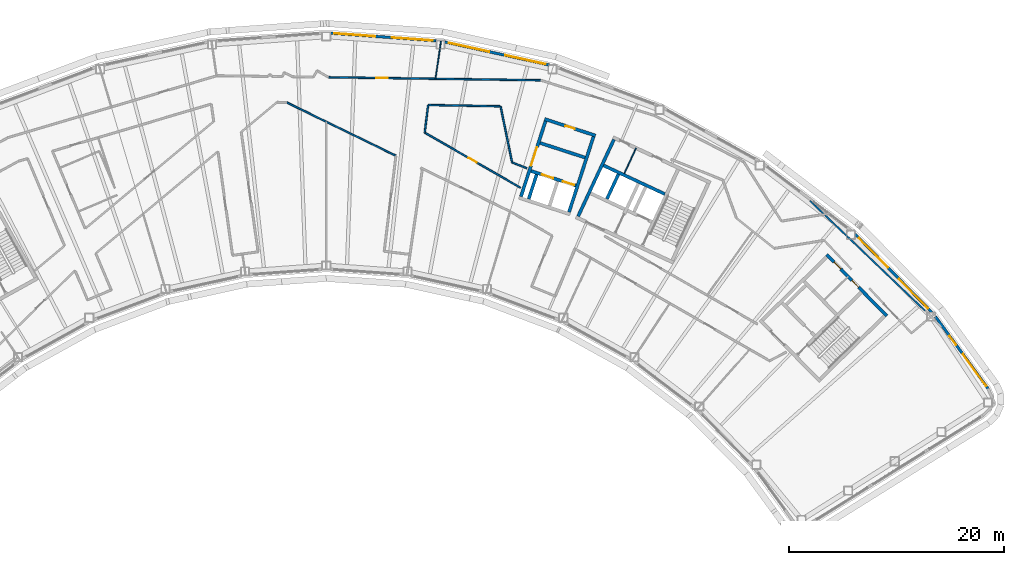
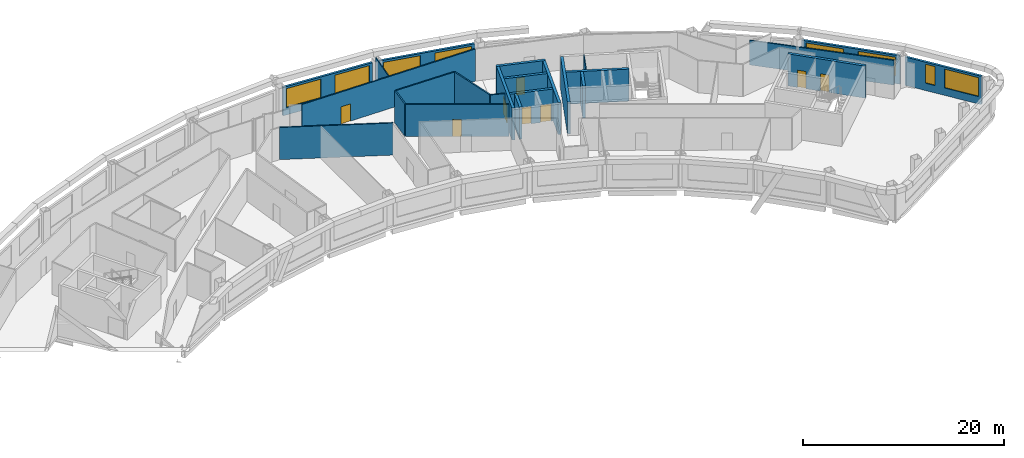
# One storey, part 10 of 14: 24 walls, 8 doors, 8 windows, 16 openings.
"""IFC4 building model written with IfcOpenShell, lengths in metres."""

from ifc_helpers import new_model, si_unit, direction, frame, frame_2d, origin, place, context, subcontext, project, spatial, rectangle, extrude, material, layer, layer_set, type_object, element, fill, save


model = new_model("IFC4")

# Units and contexts
model_context = context("Model", 3, precision=1e-05, world=origin(), true_north=direction((0.0, 1.0)))
body_context = subcontext(model_context, "Body", "Model", "MODEL_VIEW")
ifc_project = project(units=[si_unit("LENGTHUNIT", "METRE"), si_unit("AREAUNIT", "SQUARE_METRE"), si_unit("VOLUMEUNIT", "CUBIC_METRE"), si_unit("PLANEANGLEUNIT", "RADIAN"), si_unit("MASSUNIT", "GRAM", prefix="KILO")], contexts=[model_context])

# Site, building, storey
site_placement = place(None, origin())
site = spatial("IfcSite", under=ifc_project, at=site_placement, CompositionType="ELEMENT")
building_placement = place(site_placement, origin())
building = spatial("IfcBuilding", under=site, at=building_placement, Name="Tuul Gate Civic Tower", CompositionType="ELEMENT")
storey_placement = place(building_placement, frame((0.0, 0.0, 323.89990234375)))
storey = spatial("IfcBuildingStorey", under=building, at=storey_placement, Name="Level 73", CompositionType="ELEMENT", Elevation=323.89990234375)

# Wall, openings, doors
ifc_material_1 = material(Name="Concrete C50/60", Category="concrete")
ifc_layer_1 = layer(ifc_material_1, 0.300048828125)
ifc_layer_set_1 = layer_set([ifc_layer_1], Name="Concrete C50/60")
wall_type_1 = type_object("IfcWallType", Name="Core wall C50/60", PredefinedType="SHEAR", material=ifc_layer_set_1)
wall_1_placement = place(storey_placement, frame((54.43798828125, -12.23779296875, 0.0), z_axis=(0.0, 0.0, 1.0), x_axis=(-0.700021979774, 0.714121297703, 0.0)))
wall_1 = element("IfcWall", 1, at=wall_1_placement, inside=storey, type_object=wall_type_1, Name="Core wall", PredefinedType="SHEAR", context=body_context, shape_type="SweptSolid", body=[
    extrude(rectangle(XDim=8.0, YDim=0.300048828125, at=frame_2d((4.0, 0.0))), origin(), (0.0, 0.0, 1.0), 3.900146484375),
])
opening_1_placement = place(wall_1_placement, frame((3.75, 0.0, 0.0)))
opening_1 = element("IfcOpeningElement", 2, at=opening_1_placement, cuts=wall_1, Name="Opening AA-D30", PredefinedType="OPENING", context=body_context, shape_type="SweptSolid", body=[
    extrude(rectangle(XDim=0.89990234375, YDim=2.10009765625, at=frame_2d((0.449951171875, 1.050048828125))), frame((0.0, 0.16015625, 0.0), z_axis=(0.0, -1.0, 0.0), x_axis=(1.0, 0.0, 0.0)), (0.0, 0.0, 1.0), 0.320068359375),
])
opening_2_placement = place(wall_1_placement, frame((6.125, 0.0, 0.0)))
opening_2 = element("IfcOpeningElement", 3, at=opening_2_placement, cuts=wall_1, Name="Opening AA-D31", PredefinedType="OPENING", context=body_context, shape_type="SweptSolid", body=[
    extrude(rectangle(XDim=0.89990234375, YDim=2.10009765625, at=frame_2d((0.449951171875, 1.050048828125))), frame((0.0, 0.16015625, 0.0), z_axis=(0.0, -1.0, 0.0), x_axis=(1.0, 0.0, 0.0)), (0.0, 0.0, 1.0), 0.320068359375),
])
ifc_material_2 = material(Name="Timber door leaf", Category="wood")
door_type_1 = type_object("IfcDoorType", Name="Door D09", OperationType="NOTDEFINED", PredefinedType="DOOR", material=ifc_material_2)
door_1_placement = place(opening_1_placement, origin())
door_1 = element("IfcDoor", 4, at=door_1_placement, inside=storey, type_object=door_type_1, Name="Door AA-D30", OperationType="SINGLE_SWING_LEFT", OverallHeight=2.10009765625, OverallWidth=0.89990234375, PredefinedType="DOOR", context=body_context, shape_type="SweptSolid", body=[
    extrude(rectangle(XDim=0.89990234375, YDim=2.10009765625, at=frame_2d((0.449951171875, 1.050048828125))), frame((0.0, 0.02490234375, 0.0), z_axis=(0.0, -1.0, 0.0), x_axis=(1.0, 0.0, 0.0)), (0.0, 0.0, 1.0), 0.050048828125),
])
fill(opening_1, door_1)
door_2_placement = place(opening_2_placement, origin())
door_2 = element("IfcDoor", 5, at=door_2_placement, inside=storey, type_object=door_type_1, Name="Door AA-D31", OperationType="SINGLE_SWING_LEFT", OverallHeight=2.10009765625, OverallWidth=0.89990234375, PredefinedType="DOOR", context=body_context, shape_type="SweptSolid", body=[
    extrude(rectangle(XDim=0.89990234375, YDim=2.10009765625, at=frame_2d((0.449951171875, 1.050048828125))), frame((0.0, 0.02490234375, 0.0), z_axis=(0.0, -1.0, 0.0), x_axis=(1.0, 0.0, 0.0)), (0.0, 0.0, 1.0), 0.050048828125),
])
fill(opening_2, door_2)

# Walls
wall_2_placement = place(storey_placement, frame((33.75, -0.873779296875, 0.0), z_axis=(0.0, 0.0, 1.0), x_axis=(-0.906300917592, 0.422632992999, 0.0)))
element("IfcWall", 6, at=wall_2_placement, inside=storey, type_object=wall_type_1, Name="Core wall", PredefinedType="SHEAR", context=body_context, shape_type="SweptSolid", body=[
    extrude(rectangle(XDim=6.300048828125, YDim=0.300048828125, at=frame_2d((3.14990234375, 0.0))), origin(), (0.0, 0.0, 1.0), 3.900146484375),
])
wall_3_placement = place(storey_placement, frame((28.349365234375, -1.33447265625, 0.0), z_axis=(0.0, 0.0, 1.0), x_axis=(0.422612891016, 0.906310291427, 0.0)))
element("IfcWall", 7, at=wall_3_placement, inside=storey, type_object=wall_type_1, Name="Core wall", PredefinedType="SHEAR", context=body_context, shape_type="SweptSolid", body=[
    extrude(rectangle(XDim=2.550048828125, YDim=0.300048828125, at=frame_2d((1.27490234375, 0.0))), origin(), (0.0, 0.0, 1.0), 3.900146484375),
])
wall_4_placement = place(storey_placement, frame((25.66455078125, -2.951416015625, 0.0), z_axis=(0.0, 0.0, 1.0), x_axis=(0.422582604137, 0.906324413596, 0.0)))
element("IfcWall", 8, at=wall_4_placement, inside=storey, type_object=wall_type_1, Name="Core wall", PredefinedType="SHEAR", context=body_context, shape_type="SweptSolid", body=[
    extrude(rectangle(XDim=7.89990234375, YDim=0.300048828125, at=frame_2d((3.949951171875, 0.0))), origin(), (0.0, 0.0, 1.0), 3.900146484375),
])

# Wall, opening, door
ifc_material_3 = material(Name="Gypsum board partition")
ifc_layer_2 = layer(ifc_material_3, 0.14990234375)
ifc_layer_set_2 = layer_set([ifc_layer_2], Name="Gypsum board partition")
wall_type_2 = type_object("IfcWallType", Name="Corridor wall P150", PredefinedType="PARTITIONING", material=ifc_layer_set_2)
wall_5_placement = place(storey_placement, frame((2.418212890625, 10.010986328125, 0.0), z_axis=(0.0, 0.0, 1.0), x_axis=(0.999900426099, -0.014111622406, 0.0)))
wall_5 = element("IfcWall", 9, at=wall_5_placement, inside=storey, type_object=wall_type_2, Name="p017", PredefinedType="PARTITIONING", context=body_context, shape_type="SweptSolid", body=[
    extrude(rectangle(XDim=19.774658203125, YDim=0.14990234375, at=frame_2d((9.88720703125, 0.0))), origin(), (0.0, 0.0, 1.0), 3.900146484375),
])
opening_3_placement = place(wall_5_placement, frame((4.43017578125, 0.0, 0.0)))
opening_3 = element("IfcOpeningElement", 10, at=opening_3_placement, cuts=wall_5, Name="Opening AA-D02", PredefinedType="OPENING", context=body_context, shape_type="SweptSolid", body=[
    extrude(rectangle(XDim=1.10009765625, YDim=2.10009765625, at=frame_2d((0.550048828125, 1.050048828125))), frame((0.0, 0.0849609375, 0.0), z_axis=(0.0, -1.0, 0.0), x_axis=(1.0, 0.0, 0.0)), (0.0, 0.0, 1.0), 0.169921875),
])
ifc_material_4 = material(Name="Timber door leaf", Category="wood")
door_type_2 = type_object("IfcDoorType", Name="Door D11", OperationType="NOTDEFINED", PredefinedType="DOOR", material=ifc_material_4)
door_3_placement = place(opening_3_placement, origin())
door_3 = element("IfcDoor", 11, at=door_3_placement, inside=storey, type_object=door_type_2, Name="Door AA-D02", OperationType="SINGLE_SWING_RIGHT", OverallHeight=2.10009765625, OverallWidth=1.10009765625, PredefinedType="DOOR", context=body_context, shape_type="SweptSolid", body=[
    extrude(rectangle(XDim=1.10009765625, YDim=2.10009765625, at=frame_2d((0.550048828125, 1.050048828125))), frame((0.0, 0.02490234375, 0.0), z_axis=(0.0, -1.0, 0.0), x_axis=(1.0, 0.0, 0.0)), (0.0, 0.0, 1.0), 0.050048828125),
])
fill(opening_3, door_3)

wall_6_placement = place(storey_placement, frame((11.384521484375, 4.8466796875, 0.0), z_axis=(0.0, 0.0, 1.0), x_axis=(0.866676897493, -0.498869878177, 0.0)))
wall_6 = element("IfcWall", 12, at=wall_6_placement, inside=storey, type_object=wall_type_2, Name="p022", PredefinedType="PARTITIONING", context=body_context, shape_type="SweptSolid", body=[
    extrude(rectangle(XDim=10.282470703125, YDim=0.14990234375, at=frame_2d((5.14111328125, 0.0))), origin(), (0.0, 0.0, 1.0), 3.900146484375),
])
opening_4_placement = place(wall_6_placement, frame((4.69140625, 0.0, 0.0)))
opening_4 = element("IfcOpeningElement", 13, at=opening_4_placement, cuts=wall_6, Name="Opening AA-D22", PredefinedType="OPENING", context=body_context, shape_type="SweptSolid", body=[
    extrude(rectangle(XDim=0.89990234375, YDim=2.10009765625, at=frame_2d((0.449951171875, 1.050048828125))), frame((0.0, 0.0849609375, 0.0), z_axis=(0.0, -1.0, 0.0), x_axis=(1.0, 0.0, 0.0)), (0.0, 0.0, 1.0), 0.169921875),
])
door_4_placement = place(opening_4_placement, origin())
door_4 = element("IfcDoor", 14, at=door_4_placement, inside=storey, type_object=door_type_1, Name="Door AA-D22", OperationType="SINGLE_SWING_RIGHT", OverallHeight=2.10009765625, OverallWidth=0.89990234375, PredefinedType="DOOR", context=body_context, shape_type="SweptSolid", body=[
    extrude(rectangle(XDim=0.89990234375, YDim=2.10009765625, at=frame_2d((0.449951171875, 1.050048828125))), frame((0.0, 0.02490234375, 0.0), z_axis=(0.0, -1.0, 0.0), x_axis=(1.0, 0.0, 0.0)), (0.0, 0.0, 1.0), 0.050048828125),
])
fill(opening_4, door_4)

# Walls
wall_7_placement = place(storey_placement, frame((-1.48779296875, 7.66357421875, 0.0), z_axis=(0.0, 0.0, 1.0), x_axis=(0.898711179606, -0.438541007947, 0.0)))
element("IfcWall", 15, at=wall_7_placement, inside=storey, type_object=wall_type_2, Name="p069", PredefinedType="PARTITIONING", context=body_context, shape_type="SweptSolid", body=[
    extrude(rectangle(XDim=11.31005859375, YDim=0.14990234375, at=frame_2d((5.655029296875, 0.0))), origin(), (0.0, 0.0, 1.0), 3.900146484375),
])
wall_8_placement = place(storey_placement, frame((11.37451171875, 4.8671875, 0.0), z_axis=(0.0, 0.0, 1.0), x_axis=(0.121828693758, 0.992551141945, 0.0)))
element("IfcWall", 16, at=wall_8_placement, inside=storey, type_object=wall_type_2, Name="p075", PredefinedType="PARTITIONING", context=body_context, shape_type="SweptSolid", body=[
    extrude(rectangle(XDim=2.56103515625, YDim=0.14990234375, at=frame_2d((1.280517578125, 0.0))), origin(), (0.0, 0.0, 1.0), 3.900146484375),
])
wall_9_placement = place(storey_placement, frame((11.707275390625, 7.42724609375, 0.0), z_axis=(0.0, 0.0, 1.0), x_axis=(0.999836870623, -0.018061897525, 0.0)))
element("IfcWall", 17, at=wall_9_placement, inside=storey, type_object=wall_type_2, Name="p083", PredefinedType="PARTITIONING", context=body_context, shape_type="SweptSolid", body=[
    extrude(rectangle(XDim=6.7177734375, YDim=0.14990234375, at=frame_2d((3.35888671875, 0.0))), origin(), (0.0, 0.0, 1.0), 3.900146484375),
])
wall_10_placement = place(storey_placement, frame((18.44384765625, 7.28955078125, 0.0), z_axis=(0.0, 0.0, 1.0), x_axis=(0.201223030355, -0.979545451756, 0.0)))
element("IfcWall", 18, at=wall_10_placement, inside=storey, type_object=wall_type_2, Name="p103", PredefinedType="PARTITIONING", context=body_context, shape_type="SweptSolid", body=[
    extrude(rectangle(XDim=5.3203125, YDim=0.14990234375, at=frame_2d((2.66015625, 0.0))), origin(), (0.0, 0.0, 1.0), 3.900146484375),
])
wall_11_placement = place(storey_placement, frame((19.515380859375, 2.0771484375, 0.0), z_axis=(0.0, 0.0, 1.0), x_axis=(0.928613592245, -0.371048239853, 0.0)))
element("IfcWall", 19, at=wall_11_placement, inside=storey, type_object=wall_type_2, Name="p104", PredefinedType="PARTITIONING", context=body_context, shape_type="SweptSolid", body=[
    extrude(rectangle(XDim=1.47509765625, YDim=0.14990234375, at=frame_2d((0.737548828125, 0.0))), origin(), (0.0, 0.0, 1.0), 3.900146484375),
])
ifc_material_5 = material(Name="Gypsum board partition")
ifc_layer_3 = layer(ifc_material_5, 0.14990234375)
ifc_layer_set_3 = layer_set([ifc_layer_3], Name="Gypsum board partition")
wall_type_3 = type_object("IfcWallType", Name="Corridor wall P150 3000 HIGH", PredefinedType="PARTITIONING", material=ifc_layer_set_3)
wall_12_placement = place(storey_placement, frame((47.280517578125, -1.509521484375, 0.0), z_axis=(0.0, 0.0, 1.0), x_axis=(0.723161335939, -0.690679145626, 0.0)))
element("IfcWall", 20, at=wall_12_placement, inside=storey, type_object=wall_type_3, Name="p009", PredefinedType="PARTITIONING", context=body_context, shape_type="SweptSolid", body=[
    extrude(rectangle(XDim=14.814208984375, YDim=0.14990234375, at=frame_2d((7.4072265625, 0.0))), origin(), (0.0, 0.0, 1.0), 3.0),
])

# Wall, openings, windows
ifc_material_6 = material(Name="Precast concrete C40/50", Category="concrete")
ifc_layer_4 = layer(ifc_material_6, 0.25)
ifc_layer_set_4 = layer_set([ifc_layer_4], Name="Precast concrete C40/50")
wall_type_4 = type_object("IfcWallType", Name="External wall", PredefinedType="STANDARD", material=ifc_layer_set_4)
wall_13_placement = place(storey_placement, frame((63.881103515625, -19.017822265625, 0.0), z_axis=(0.0, 0.0, 1.0), x_axis=(-0.58975151757, 0.80758476182, 0.0)))
wall_13 = element("IfcWall", 21, at=wall_13_placement, inside=storey, type_object=wall_type_4, Name="External wall", PredefinedType="STANDARD", context=body_context, shape_type="SweptSolid", body=[
    extrude(rectangle(XDim=8.33740234375, YDim=0.25, at=frame_2d((4.168701171875, 0.0))), origin(), (0.0, 0.0, 1.0), 3.4501953125),
])
opening_5_placement = place(wall_13_placement, frame((0.30078125, 0.0, 0.89990234375)))
opening_5 = element("IfcOpeningElement", 22, at=opening_5_placement, cuts=wall_13, Name="Opening W21", PredefinedType="OPENING", context=body_context, shape_type="SweptSolid", body=[
    extrude(rectangle(XDim=3.699951171875, YDim=2.300048828125, at=frame_2d((1.85009765625, 1.14990234375))), frame((0.0, 0.135009765625, 0.0), z_axis=(0.0, -1.0, 0.0), x_axis=(1.0, 0.0, 0.0)), (0.0, 0.0, 1.0), 0.27001953125),
])
opening_6_placement = place(wall_13_placement, frame((5.05419921875, 0.0, 0.89990234375)))
opening_6 = element("IfcOpeningElement", 23, at=opening_6_placement, cuts=wall_13, Name="Opening W51", PredefinedType="OPENING", context=body_context, shape_type="SweptSolid", body=[
    extrude(rectangle(XDim=1.050048828125, YDim=2.300048828125, at=frame_2d((0.52490234375, 1.14990234375))), frame((0.0, 0.135009765625, 0.0), z_axis=(0.0, -1.0, 0.0), x_axis=(1.0, 0.0, 0.0)), (0.0, 0.0, 1.0), 0.27001953125),
])
ifc_material_7 = material(Name="Glass", Category="glass")
window_type_1 = type_object("IfcWindowType", Name="Window 1050 x 2300", PartitioningType="SINGLE_PANEL", PredefinedType="WINDOW", material=ifc_material_7)
window_1_placement = place(opening_6_placement, origin())
window_1 = element("IfcWindow", 24, at=window_1_placement, inside=storey, type_object=window_type_1, Name="Window", OverallHeight=2.300048828125, OverallWidth=1.050048828125, PartitioningType="SINGLE_PANEL", PredefinedType="WINDOW", context=body_context, shape_type="SweptSolid", body=[
    extrude(rectangle(XDim=1.050048828125, YDim=2.300048828125, at=frame_2d((0.52490234375, 1.14990234375))), frame((0.0, 0.030029296875, 0.0), z_axis=(0.0, -1.0, 0.0), x_axis=(1.0, 0.0, 0.0)), (0.0, 0.0, 1.0), 0.06005859375),
])
fill(opening_6, window_1)
ifc_material_8 = material(Name="Glass", Category="glass")
window_type_2 = type_object("IfcWindowType", Name="Window W21 3700 x 2300", PartitioningType="SINGLE_PANEL", PredefinedType="WINDOW", material=ifc_material_8)
window_2_placement = place(opening_5_placement, origin())
window_2 = element("IfcWindow", 25, at=window_2_placement, inside=storey, type_object=window_type_2, Name="Window", OverallHeight=2.300048828125, OverallWidth=3.699951171875, PartitioningType="SINGLE_PANEL", PredefinedType="WINDOW", context=body_context, shape_type="SweptSolid", body=[
    extrude(rectangle(XDim=3.699951171875, YDim=2.300048828125, at=frame_2d((1.85009765625, 1.14990234375))), frame((0.0, 0.030029296875, 0.0), z_axis=(0.0, -1.0, 0.0), x_axis=(1.0, 0.0, 0.0)), (0.0, 0.0, 1.0), 0.06005859375),
])
fill(opening_5, window_2)

wall_14_placement = place(storey_placement, frame((58.627197265625, -11.887939453125, 0.0), z_axis=(0.0, 0.0, 1.0), x_axis=(-0.700055609081, 0.714088330807, 0.0)))
wall_14 = element("IfcWall", 26, at=wall_14_placement, inside=storey, type_object=wall_type_4, Name="External wall", PredefinedType="STANDARD", context=body_context, shape_type="SweptSolid", body=[
    extrude(rectangle(XDim=10.1953125, YDim=0.25, at=frame_2d((5.09765625, 0.0))), origin(), (0.0, 0.0, 1.0), 3.4501953125),
])
opening_7_placement = place(wall_14_placement, frame((0.48681640625, 0.0, 0.89990234375)))
opening_7 = element("IfcOpeningElement", 27, at=opening_7_placement, cuts=wall_14, Name="Opening W22", PredefinedType="OPENING", context=body_context, shape_type="SweptSolid", body=[
    extrude(rectangle(XDim=3.85009765625, YDim=2.300048828125, at=frame_2d((1.925048828125, 1.14990234375))), frame((0.0, 0.135009765625, 0.0), z_axis=(0.0, -1.0, 0.0), x_axis=(1.0, 0.0, 0.0)), (0.0, 0.0, 1.0), 0.27001953125),
])
opening_8_placement = place(wall_14_placement, frame((5.85791015625, 0.0, 0.89990234375)))
opening_8 = element("IfcOpeningElement", 28, at=opening_8_placement, cuts=wall_14, Name="Opening W22", PredefinedType="OPENING", context=body_context, shape_type="SweptSolid", body=[
    extrude(rectangle(XDim=3.85009765625, YDim=2.300048828125, at=frame_2d((1.925048828125, 1.14990234375))), frame((0.0, 0.135009765625, 0.0), z_axis=(0.0, -1.0, 0.0), x_axis=(1.0, 0.0, 0.0)), (0.0, 0.0, 1.0), 0.27001953125),
])
ifc_material_9 = material(Name="Glass", Category="glass")
window_type_3 = type_object("IfcWindowType", Name="Window W22 3850 x 2300", PartitioningType="SINGLE_PANEL", PredefinedType="WINDOW", material=ifc_material_9)
window_3_placement = place(opening_7_placement, origin())
window_3 = element("IfcWindow", 29, at=window_3_placement, inside=storey, type_object=window_type_3, Name="Window", OverallHeight=2.300048828125, OverallWidth=3.85009765625, PartitioningType="SINGLE_PANEL", PredefinedType="WINDOW", context=body_context, shape_type="SweptSolid", body=[
    extrude(rectangle(XDim=3.85009765625, YDim=2.300048828125, at=frame_2d((1.925048828125, 1.14990234375))), frame((0.0, 0.030029296875, 0.0), z_axis=(0.0, -1.0, 0.0), x_axis=(1.0, 0.0, 0.0)), (0.0, 0.0, 1.0), 0.06005859375),
])
fill(opening_7, window_3)
window_4_placement = place(opening_8_placement, origin())
window_4 = element("IfcWindow", 30, at=window_4_placement, inside=storey, type_object=window_type_3, Name="Window", OverallHeight=2.300048828125, OverallWidth=3.85009765625, PartitioningType="SINGLE_PANEL", PredefinedType="WINDOW", context=body_context, shape_type="SweptSolid", body=[
    extrude(rectangle(XDim=3.85009765625, YDim=2.300048828125, at=frame_2d((1.925048828125, 1.14990234375))), frame((0.0, 0.030029296875, 0.0), z_axis=(0.0, -1.0, 0.0), x_axis=(1.0, 0.0, 0.0)), (0.0, 0.0, 1.0), 0.06005859375),
])
fill(opening_8, window_4)

wall_15_placement = place(storey_placement, frame((22.9658203125, 11.157958984375, 0.0), z_axis=(0.0, 0.0, 1.0), x_axis=(-0.976563421064, 0.215229841426, 0.0)))
wall_15 = element("IfcWall", 31, at=wall_15_placement, inside=storey, type_object=wall_type_4, Name="External wall", PredefinedType="STANDARD", context=body_context, shape_type="SweptSolid", body=[
    extrude(rectangle(XDim=9.958251953125, YDim=0.25, at=frame_2d((4.97900390625, 0.0))), origin(), (0.0, 0.0, 1.0), 3.4501953125),
])
opening_9_placement = place(wall_15_placement, frame((0.346923828125, 0.0, 0.89990234375)))
opening_9 = element("IfcOpeningElement", 32, at=opening_9_placement, cuts=wall_15, Name="Opening W22", PredefinedType="OPENING", context=body_context, shape_type="SweptSolid", body=[
    extrude(rectangle(XDim=3.85009765625, YDim=2.300048828125, at=frame_2d((1.925048828125, 1.14990234375))), frame((0.0, 0.135009765625, 0.0), z_axis=(0.0, -1.0, 0.0), x_axis=(1.0, 0.0, 0.0)), (0.0, 0.0, 1.0), 0.27001953125),
])
opening_10_placement = place(wall_15_placement, frame((5.71826171875, 0.0, 0.89990234375)))
opening_10 = element("IfcOpeningElement", 33, at=opening_10_placement, cuts=wall_15, Name="Opening W22", PredefinedType="OPENING", context=body_context, shape_type="SweptSolid", body=[
    extrude(rectangle(XDim=3.85009765625, YDim=2.300048828125, at=frame_2d((1.925048828125, 1.14990234375))), frame((0.0, 0.135009765625, 0.0), z_axis=(0.0, -1.0, 0.0), x_axis=(1.0, 0.0, 0.0)), (0.0, 0.0, 1.0), 0.27001953125),
])
window_5_placement = place(opening_9_placement, origin())
window_5 = element("IfcWindow", 34, at=window_5_placement, inside=storey, type_object=window_type_3, Name="Window", OverallHeight=2.300048828125, OverallWidth=3.85009765625, PartitioningType="SINGLE_PANEL", PredefinedType="WINDOW", context=body_context, shape_type="SweptSolid", body=[
    extrude(rectangle(XDim=3.85009765625, YDim=2.300048828125, at=frame_2d((1.925048828125, 1.14990234375))), frame((0.0, 0.030029296875, 0.0), z_axis=(0.0, -1.0, 0.0), x_axis=(1.0, 0.0, 0.0)), (0.0, 0.0, 1.0), 0.06005859375),
])
fill(opening_9, window_5)
window_6_placement = place(opening_10_placement, origin())
window_6 = element("IfcWindow", 35, at=window_6_placement, inside=storey, type_object=window_type_3, Name="Window", OverallHeight=2.300048828125, OverallWidth=3.85009765625, PartitioningType="SINGLE_PANEL", PredefinedType="WINDOW", context=body_context, shape_type="SweptSolid", body=[
    extrude(rectangle(XDim=3.85009765625, YDim=2.300048828125, at=frame_2d((1.925048828125, 1.14990234375))), frame((0.0, 0.030029296875, 0.0), z_axis=(0.0, -1.0, 0.0), x_axis=(1.0, 0.0, 0.0)), (0.0, 0.0, 1.0), 0.06005859375),
])
fill(opening_10, window_6)

wall_16_placement = place(storey_placement, frame((12.44091796875, 13.411376953125, 0.0), z_axis=(0.0, 0.0, 1.0), x_axis=(-0.997387042659, 0.072243249762, 0.0)))
wall_16 = element("IfcWall", 36, at=wall_16_placement, inside=storey, type_object=wall_type_4, Name="External wall", PredefinedType="STANDARD", context=body_context, shape_type="SweptSolid", body=[
    extrude(rectangle(XDim=9.874755859375, YDim=0.25, at=frame_2d((4.9375, 0.0))), origin(), (0.0, 0.0, 1.0), 3.4501953125),
])
opening_11_placement = place(wall_16_placement, frame((0.303466796875, 0.0, 0.89990234375)))
opening_11 = element("IfcOpeningElement", 37, at=opening_11_placement, cuts=wall_16, Name="Opening W22", PredefinedType="OPENING", context=body_context, shape_type="SweptSolid", body=[
    extrude(rectangle(XDim=3.85009765625, YDim=2.300048828125, at=frame_2d((1.925048828125, 1.14990234375))), frame((0.0, 0.135009765625, 0.0), z_axis=(0.0, -1.0, 0.0), x_axis=(1.0, 0.0, 0.0)), (0.0, 0.0, 1.0), 0.27001953125),
])
opening_12_placement = place(wall_16_placement, frame((5.67431640625, 0.0, 0.89990234375)))
opening_12 = element("IfcOpeningElement", 38, at=opening_12_placement, cuts=wall_16, Name="Opening W22", PredefinedType="OPENING", context=body_context, shape_type="SweptSolid", body=[
    extrude(rectangle(XDim=3.85009765625, YDim=2.300048828125, at=frame_2d((1.925048828125, 1.14990234375))), frame((0.0, 0.135009765625, 0.0), z_axis=(0.0, -1.0, 0.0), x_axis=(1.0, 0.0, 0.0)), (0.0, 0.0, 1.0), 0.27001953125),
])
window_7_placement = place(opening_11_placement, origin())
window_7 = element("IfcWindow", 39, at=window_7_placement, inside=storey, type_object=window_type_3, Name="Window", OverallHeight=2.300048828125, OverallWidth=3.85009765625, PartitioningType="SINGLE_PANEL", PredefinedType="WINDOW", context=body_context, shape_type="SweptSolid", body=[
    extrude(rectangle(XDim=3.85009765625, YDim=2.300048828125, at=frame_2d((1.925048828125, 1.14990234375))), frame((0.0, 0.030029296875, 0.0), z_axis=(0.0, -1.0, 0.0), x_axis=(1.0, 0.0, 0.0)), (0.0, 0.0, 1.0), 0.06005859375),
])
fill(opening_11, window_7)
window_8_placement = place(opening_12_placement, origin())
window_8 = element("IfcWindow", 40, at=window_8_placement, inside=storey, type_object=window_type_3, Name="Window", OverallHeight=2.300048828125, OverallWidth=3.85009765625, PartitioningType="SINGLE_PANEL", PredefinedType="WINDOW", context=body_context, shape_type="SweptSolid", body=[
    extrude(rectangle(XDim=3.85009765625, YDim=2.300048828125, at=frame_2d((1.925048828125, 1.14990234375))), frame((0.0, 0.030029296875, 0.0), z_axis=(0.0, -1.0, 0.0), x_axis=(1.0, 0.0, 0.0)), (0.0, 0.0, 1.0), 0.06005859375),
])
fill(opening_12, window_8)

# Wall, openings, doors
ifc_material_10 = material(Name="Concrete C40/50", Category="concrete")
ifc_layer_5 = layer(ifc_material_10, 0.300048828125)
ifc_layer_set_5 = layer_set([ifc_layer_5], Name="Concrete C40/50")
wall_type_5 = type_object("IfcWallType", Name="Lift shaft wall C40/50", PredefinedType="STANDARD", material=ifc_layer_set_5)
wall_17_placement = place(storey_placement, frame((25.460693359375, -0.0859375, 0.0), z_axis=(0.0, 0.0, 1.0), x_axis=(-0.951063829732, 0.308994485023, 0.0)))
wall_17 = element("IfcWall", 41, at=wall_17_placement, inside=storey, type_object=wall_type_5, Name="Shaft wall", PredefinedType="STANDARD", context=body_context, shape_type="SweptSolid", body=[
    extrude(rectangle(XDim=4.400146484375, YDim=0.300048828125, at=frame_2d((2.2001953125, 0.0))), origin(), (0.0, 0.0, 1.0), 3.900146484375),
])
opening_13_placement = place(wall_17_placement, frame((0.175048828125, 0.0, 0.0)))
opening_13 = element("IfcOpeningElement", 42, at=opening_13_placement, cuts=wall_17, Name="Opening LD-H2", PredefinedType="OPENING", context=body_context, shape_type="SweptSolid", body=[
    extrude(rectangle(XDim=1.10009765625, YDim=2.10009765625, at=frame_2d((0.550048828125, 1.050048828125))), frame((0.0, 0.16015625, 0.0), z_axis=(0.0, -1.0, 0.0), x_axis=(1.0, 0.0, 0.0)), (0.0, 0.0, 1.0), 0.320068359375),
])
opening_14_placement = place(wall_17_placement, frame((2.22509765625, 0.0, 0.0)))
opening_14 = element("IfcOpeningElement", 43, at=opening_14_placement, cuts=wall_17, Name="Opening LD-H3", PredefinedType="OPENING", context=body_context, shape_type="SweptSolid", body=[
    extrude(rectangle(XDim=1.10009765625, YDim=2.10009765625, at=frame_2d((0.550048828125, 1.050048828125))), frame((0.0, 0.16015625, 0.0), z_axis=(0.0, -1.0, 0.0), x_axis=(1.0, 0.0, 0.0)), (0.0, 0.0, 1.0), 0.320068359375),
])
ifc_material_11 = material(Name="Stainless steel", Category="steel")
door_type_3 = type_object("IfcDoorType", Name="Landing door", OperationType="DOUBLE_DOOR_SLIDING", PredefinedType="DOOR", material=ifc_material_11)
door_5_placement = place(opening_13_placement, origin())
door_5 = element("IfcDoor", 44, at=door_5_placement, inside=storey, type_object=door_type_3, Name="High-rise lift H2 landing door", OperationType="DOUBLE_DOOR_SLIDING", OverallHeight=2.10009765625, OverallWidth=1.10009765625, PredefinedType="DOOR", context=body_context, shape_type="SweptSolid", body=[
    extrude(rectangle(XDim=1.10009765625, YDim=2.10009765625, at=frame_2d((0.550048828125, 1.050048828125))), frame((0.0, 0.02490234375, 0.0), z_axis=(0.0, -1.0, 0.0), x_axis=(1.0, 0.0, 0.0)), (0.0, 0.0, 1.0), 0.050048828125),
])
fill(opening_13, door_5)
door_6_placement = place(opening_14_placement, origin())
door_6 = element("IfcDoor", 45, at=door_6_placement, inside=storey, type_object=door_type_3, Name="High-rise lift H3 landing door", OperationType="DOUBLE_DOOR_SLIDING", OverallHeight=2.10009765625, OverallWidth=1.10009765625, PredefinedType="DOOR", context=body_context, shape_type="SweptSolid", body=[
    extrude(rectangle(XDim=1.10009765625, YDim=2.10009765625, at=frame_2d((0.550048828125, 1.050048828125))), frame((0.0, 0.02490234375, 0.0), z_axis=(0.0, -1.0, 0.0), x_axis=(1.0, 0.0, 0.0)), (0.0, 0.0, 1.0), 0.050048828125),
])
fill(opening_14, door_6)

# Wall
wall_18_placement = place(storey_placement, frame((26.310546875, 2.529541015625, 0.0), z_axis=(0.0, 0.0, 1.0), x_axis=(-0.951058531764, 0.30901079133, 0.0)))
element("IfcWall", 46, at=wall_18_placement, inside=storey, type_object=wall_type_5, Name="Shaft wall", PredefinedType="STANDARD", context=body_context, shape_type="SweptSolid", body=[
    extrude(rectangle(XDim=4.39990234375, YDim=0.300048828125, at=frame_2d((2.199951171875, 0.0))), origin(), (0.0, 0.0, 1.0), 3.900146484375),
])

# Wall, opening, door
wall_19_placement = place(storey_placement, frame((27.29150390625, 4.57666015625, 0.0), z_axis=(0.0, 0.0, 1.0), x_axis=(-0.951067792613, 0.308982287281, 0.0)))
wall_19 = element("IfcWall", 47, at=wall_19_placement, inside=storey, type_object=wall_type_5, Name="Shaft wall", PredefinedType="STANDARD", context=body_context, shape_type="SweptSolid", body=[
    extrude(rectangle(XDim=5.0, YDim=0.300048828125, at=frame_2d((2.5, 0.0))), origin(), (0.0, 0.0, 1.0), 3.900146484375),
])
opening_15_placement = place(wall_19_placement, frame((2.050048828125, 0.0, 0.0)))
opening_15 = element("IfcOpeningElement", 48, at=opening_15_placement, cuts=wall_19, Name="Opening AA-D34", PredefinedType="OPENING", context=body_context, shape_type="SweptSolid", body=[
    extrude(rectangle(XDim=0.89990234375, YDim=2.10009765625, at=frame_2d((0.449951171875, 1.050048828125))), frame((0.0, 0.16015625, 0.0), z_axis=(0.0, -1.0, 0.0), x_axis=(1.0, 0.0, 0.0)), (0.0, 0.0, 1.0), 0.320068359375),
])
door_7_placement = place(opening_15_placement, origin())
door_7 = element("IfcDoor", 49, at=door_7_placement, inside=storey, type_object=door_type_1, Name="Door AA-D34", OperationType="SINGLE_SWING_LEFT", OverallHeight=2.10009765625, OverallWidth=0.89990234375, PredefinedType="DOOR", context=body_context, shape_type="SweptSolid", body=[
    extrude(rectangle(XDim=0.89990234375, YDim=2.10009765625, at=frame_2d((0.449951171875, 1.050048828125))), frame((0.0, 0.02490234375, 0.0), z_axis=(0.0, -1.0, 0.0), x_axis=(1.0, 0.0, 0.0)), (0.0, 0.0, 1.0), 0.050048828125),
])
fill(opening_15, door_7)

# Walls
wall_20_placement = place(storey_placement, frame((24.815185546875, -2.557373046875, 0.0), z_axis=(0.0, 0.0, 1.0), x_axis=(0.30907264409, 0.951038432807, 0.0)))
element("IfcWall", 50, at=wall_20_placement, inside=storey, type_object=wall_type_5, Name="Shaft wall", PredefinedType="STANDARD", context=body_context, shape_type="SweptSolid", body=[
    extrude(rectangle(XDim=7.39990234375, YDim=0.300048828125, at=frame_2d((3.699951171875, 0.0))), origin(), (0.0, 0.0, 1.0), 3.900146484375),
])
wall_21_placement = place(storey_placement, frame((21.058349609375, -1.336669921875, 0.0), z_axis=(0.0, 0.0, 1.0), x_axis=(0.309138975195, 0.951016873675, 0.0)))
element("IfcWall", 51, at=wall_21_placement, inside=storey, type_object=wall_type_5, Name="Shaft wall", PredefinedType="STANDARD", context=body_context, shape_type="SweptSolid", body=[
    extrude(rectangle(XDim=2.400146484375, YDim=0.300048828125, at=frame_2d((1.2001953125, 0.0))), origin(), (0.0, 0.0, 1.0), 3.900146484375),
])

# Wall, opening, door
wall_22_placement = place(storey_placement, frame((20.34521484375, -1.10498046875, 0.0), z_axis=(0.0, 0.0, 1.0), x_axis=(0.30907264409, 0.951038432807, 0.0)))
wall_22 = element("IfcWall", 52, at=wall_22_placement, inside=storey, type_object=wall_type_5, Name="Shaft wall", PredefinedType="STANDARD", context=body_context, shape_type="SweptSolid", body=[
    extrude(rectangle(XDim=7.39990234375, YDim=0.300048828125, at=frame_2d((3.699951171875, 0.0))), origin(), (0.0, 0.0, 1.0), 3.900146484375),
])
opening_16_placement = place(wall_22_placement, frame((3.02490234375, 0.0, 0.0)))
opening_16 = element("IfcOpeningElement", 53, at=opening_16_placement, cuts=wall_22, Name="Opening LB-E4-LOBBY-1", PredefinedType="OPENING", context=body_context, shape_type="SweptSolid", body=[
    extrude(rectangle(XDim=1.800048828125, YDim=2.10009765625, at=frame_2d((0.89990234375, 1.050048828125))), frame((0.0, 0.16015625, 0.0), z_axis=(0.0, -1.0, 0.0), x_axis=(1.0, 0.0, 0.0)), (0.0, 0.0, 1.0), 0.320068359375),
])
ifc_material_12 = material(Name="Steel", Category="steel")
door_type_4 = type_object("IfcDoorType", Name="Lobby door", OperationType="DOUBLE_DOOR_SINGLE_SWING", PredefinedType="DOOR", material=ifc_material_12)
door_8_placement = place(opening_16_placement, frame((1.800048828125, 0.0, 0.0), z_axis=(0.0, 0.0, 1.0), x_axis=(-1.0, 0.0, 0.0)))
door_8 = element("IfcDoor", 54, at=door_8_placement, inside=storey, type_object=door_type_4, Name="Lobby door E4-LOBBY", OperationType="DOUBLE_DOOR_SINGLE_SWING", OverallHeight=2.10009765625, OverallWidth=1.800048828125, PredefinedType="DOOR", context=body_context, shape_type="SweptSolid", body=[
    extrude(rectangle(XDim=1.800048828125, YDim=2.10009765625, at=frame_2d((0.900146484375, 1.050048828125))), frame((0.0, 0.02490234375, 0.0), z_axis=(0.0, -1.0, 0.0), x_axis=(1.0, 0.0, 0.0)), (0.0, 0.0, 1.0), 0.050048828125),
])
fill(opening_16, door_8)

# Walls
ifc_material_13 = material(Name="Gypsum board partition")
ifc_layer_6 = layer(ifc_material_13, 0.10009765625)
ifc_layer_set_6 = layer_set([ifc_layer_6], Name="Gypsum board partition")
wall_type_6 = type_object("IfcWallType", Name="Partition P100", PredefinedType="PARTITIONING", material=ifc_layer_set_6)
wall_23_placement = place(storey_placement, frame((12.37744140625, 9.87060546875, 0.0), z_axis=(0.0, 0.0, 1.0), x_axis=(0.144135747745, 0.989557924642, 0.0)))
element("IfcWall", 55, at=wall_23_placement, inside=storey, type_object=wall_type_6, Name="p002", PredefinedType="PARTITIONING", context=body_context, shape_type="SweptSolid", body=[
    extrude(rectangle(XDim=3.55029296875, YDim=0.10009765625, at=frame_2d((1.775146484375, 0.0))), origin(), (0.0, 0.0, 1.0), 3.900146484375),
])
wall_24_placement = place(storey_placement, frame((29.972900390625, 1.052978515625, 0.0), z_axis=(0.0, 0.0, 1.0), x_axis=(0.422556439746, 0.906336612539, 0.0)))
element("IfcWall", 56, at=wall_24_placement, inside=storey, type_object=wall_type_6, Name="bE3-BAND-0", PredefinedType="PARTITIONING", context=body_context, shape_type="SweptSolid", body=[
    extrude(rectangle(XDim=2.599853515625, YDim=0.10009765625, at=frame_2d((1.2998046875, 0.0))), origin(), (0.0, 0.0, 1.0), 3.900146484375),
])

save(model, "model.ifc")
